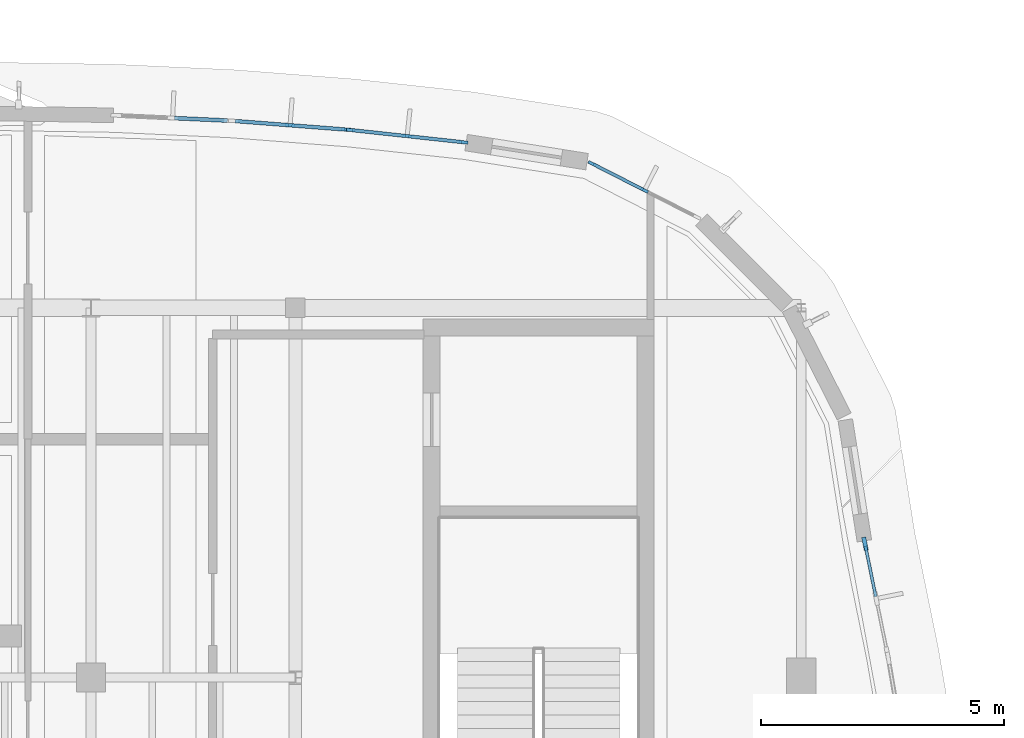
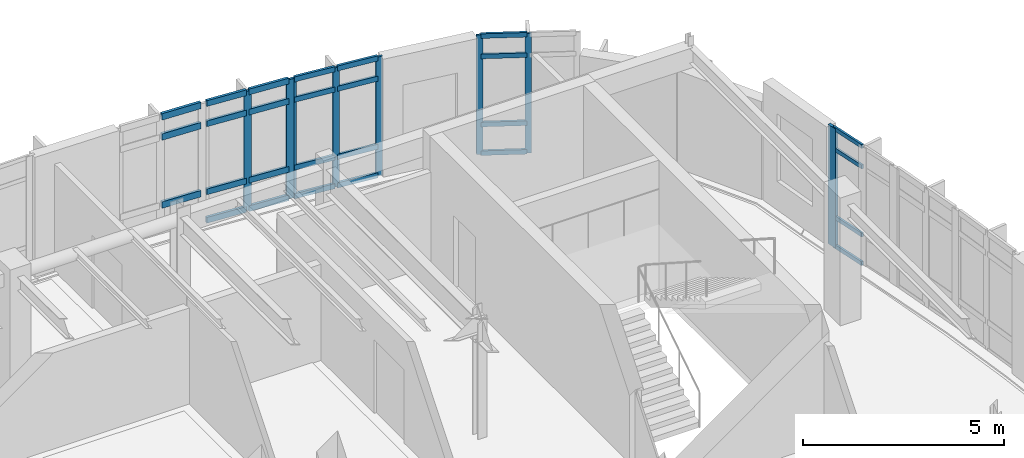
# One storey, part 56 of 111: 35 members, 5 elements without a shape of their own.
"""IFC4 building model written with IfcOpenShell, lengths in metres."""

from ifc_helpers import new_model, si_unit, direction, frame, origin, origin_2d, place, context, subcontext, project, spatial, rectangle, extrude, material, material_profile, profile_set, type_object, element, aggregate, save


model = new_model("IFC4")

# Units and contexts
model_context = context("Model", 3, precision=1e-05, world=origin(), true_north=direction((0.0, 1.0)))
body_context = subcontext(model_context, "Body", "Model", "MODEL_VIEW")
ifc_project = project(units=[si_unit("LENGTHUNIT", "METRE"), si_unit("AREAUNIT", "SQUARE_METRE"), si_unit("VOLUMEUNIT", "CUBIC_METRE"), si_unit("PLANEANGLEUNIT", "RADIAN"), si_unit("MASSUNIT", "GRAM", prefix="KILO")], contexts=[model_context])

# Site, building, storey
site_placement = place(None, origin())
site = spatial("IfcSite", under=ifc_project, at=site_placement, CompositionType="ELEMENT")
building_placement = place(site_placement, origin())
building = spatial("IfcBuilding", under=site, at=building_placement, Name="Corveleigh Park Community Centre", CompositionType="ELEMENT")
storey_placement = place(building_placement, frame((0.0, 0.0, 4.800048828125)))
storey = spatial("IfcBuildingStorey", under=building, at=storey_placement, Name="L01", CompositionType="ELEMENT", Elevation=4.800048828125)

# Curtain wall, members
ifc_material = material(Name="Anodised aluminium 6063-T6", Category="aluminium")
curtain_wall_type = type_object("IfcCurtainWallType", Name="CW-SYS-V4-L01", PredefinedType="NOTDEFINED", material=ifc_material)
curtain_wall_1_placement = place(storey_placement, origin())
curtain_wall_1 = element("IfcCurtainWall", 1, at=curtain_wall_1_placement, inside=storey, type_object=curtain_wall_type, Name="V4 L01 Curtain Wall 277", PredefinedType="NOTDEFINED")
ifc_material_profile_1 = material_profile(ifc_material, rectangle(XDim=0.06005859375, YDim=0.159912109375, at=origin_2d()), Name="ALU-M60x160", Category="aluminium")
ifc_profile_set_1 = profile_set([ifc_material_profile_1], Name="Anodised aluminium 6063-T6")
member_type_1 = type_object("IfcMemberType", Name="CWM-60x160", PredefinedType="MULLION", material=ifc_profile_set_1)
member_1_placement = place(storey_placement, frame((164.0947265625, 107.16845703125, 0.0), z_axis=(0.0, 0.0, 1.0), x_axis=(0.454268707511, 0.89086471553, 0.0)))
member_1 = element("IfcMember", 2, at=member_1_placement, type_object=member_type_1, Name="CW08 mullion 1", PredefinedType="MULLION", context=body_context, shape_type="SweptSolid", body=[
    extrude(rectangle(XDim=0.06005859375, YDim=0.159912109375, at=origin_2d()), origin(), (0.0, 0.0, 1.0), 3.612060546875),
])
member_2_placement = place(storey_placement, frame((165.177001953125, 106.616455078125, 0.0), z_axis=(0.0, 0.0, 1.0), x_axis=(0.454268707511, 0.89086471553, 0.0)))
member_2 = element("IfcMember", 3, at=member_2_placement, type_object=member_type_1, Name="CW08 mullion 2", PredefinedType="MULLION", context=body_context, shape_type="SweptSolid", body=[
    extrude(rectangle(XDim=0.06005859375, YDim=0.159912109375, at=origin_2d()), origin(), (0.0, 0.0, 1.0), 3.612060546875),
])

curtain_wall_2_placement = place(storey_placement, origin())
curtain_wall_2 = element("IfcCurtainWall", 4, at=curtain_wall_2_placement, inside=storey, type_object=curtain_wall_type, Name="V4 L01 Curtain Wall 278", PredefinedType="NOTDEFINED")
ifc_material_profile_2 = material_profile(ifc_material, rectangle(XDim=0.06494140625, YDim=0.179931640625, at=origin_2d()), Name="ALU-M65x180", Category="aluminium")
ifc_profile_set_2 = profile_set([ifc_material_profile_2], Name="Anodised aluminium 6063-T6")
member_type_2 = type_object("IfcMemberType", Name="CWM-65x180", PredefinedType="MULLION", material=ifc_profile_set_2)
member_3_placement = place(storey_placement, frame((159.13720703125, 107.8564453125, 0.0), z_axis=(0.0, 0.0, 1.0), x_axis=(0.108005423213, 0.994150304811, 0.0)))
member_3 = element("IfcMember", 5, at=member_3_placement, type_object=member_type_2, Name="CW08 mullion 1", PredefinedType="MULLION", context=body_context, shape_type="SweptSolid", body=[
    extrude(rectangle(XDim=0.06494140625, YDim=0.179931640625, at=origin_2d()), origin(), (0.0, 0.0, 1.0), 3.612060546875),
])
member_4_placement = place(storey_placement, frame((160.297119140625, 107.73046875, 0.0), z_axis=(0.0, 0.0, 1.0), x_axis=(0.108005423213, 0.994150304811, 0.0)))
member_4 = element("IfcMember", 6, at=member_4_placement, type_object=member_type_2, Name="CW08 mullion 2", PredefinedType="MULLION", context=body_context, shape_type="SweptSolid", body=[
    extrude(rectangle(XDim=0.06494140625, YDim=0.179931640625, at=origin_2d()), origin(), (0.0, 0.0, 1.0), 3.612060546875),
])
member_5_placement = place(storey_placement, frame((161.456787109375, 107.6044921875, 0.0), z_axis=(0.0, 0.0, 1.0), x_axis=(0.108005423213, 0.994150304811, 0.0)))
member_5 = element("IfcMember", 7, at=member_5_placement, type_object=member_type_2, Name="CW08 mullion 3", PredefinedType="MULLION", context=body_context, shape_type="SweptSolid", body=[
    extrude(rectangle(XDim=0.06494140625, YDim=0.179931640625, at=origin_2d()), origin(), (0.0, 0.0, 1.0), 3.612060546875),
])

curtain_wall_3_placement = place(storey_placement, origin())
curtain_wall_3 = element("IfcCurtainWall", 8, at=curtain_wall_3_placement, inside=storey, type_object=curtain_wall_type, Name="V4 L01 Curtain Wall 279", PredefinedType="NOTDEFINED")
ifc_material_profile_3 = material_profile(ifc_material, rectangle(XDim=0.070068359375, YDim=0.199951171875, at=origin_2d()), Name="ALU-M70x200", Category="aluminium")
ifc_profile_set_3 = profile_set([ifc_material_profile_3], Name="Anodised aluminium 6063-T6")
member_type_3 = type_object("IfcMemberType", Name="CWM-70x200", PredefinedType="MULLION", material=ifc_profile_set_3)
member_6_placement = place(storey_placement, frame((157.889892578125, 107.9541015625, 0.0), z_axis=(0.0, 0.0, 1.0), x_axis=(0.076632801378, 0.997059383263, 0.0)))
member_6 = element("IfcMember", 9, at=member_6_placement, type_object=member_type_3, Name="CW08 mullion 2", PredefinedType="MULLION", context=body_context, shape_type="SweptSolid", body=[
    extrude(rectangle(XDim=0.070068359375, YDim=0.199951171875, at=origin_2d()), origin(), (0.0, 0.0, 1.0), 3.612060546875),
])
member_7_placement = place(storey_placement, frame((159.052001953125, 107.86474609375, 0.0), z_axis=(0.0, 0.0, 1.0), x_axis=(0.076632801378, 0.997059383263, 0.0)))
member_7 = element("IfcMember", 10, at=member_7_placement, type_object=member_type_3, Name="CW08 mullion 3", PredefinedType="MULLION", context=body_context, shape_type="SweptSolid", body=[
    extrude(rectangle(XDim=0.070068359375, YDim=0.199951171875, at=origin_2d()), origin(), (0.0, 0.0, 1.0), 3.612060546875),
])

curtain_wall_4_placement = place(storey_placement, origin())
curtain_wall_4 = element("IfcCurtainWall", 11, at=curtain_wall_4_placement, inside=storey, type_object=curtain_wall_type, Name="V4 L01 Curtain Wall 276", PredefinedType="NOTDEFINED")
ifc_material_profile_4 = material_profile(ifc_material, rectangle(XDim=0.0849609375, YDim=0.27490234375, at=origin_2d()), Name="ALU-M85x275", Category="aluminium")
ifc_profile_set_4 = profile_set([ifc_material_profile_4], Name="Anodised aluminium 6063-T6")
member_type_4 = type_object("IfcMemberType", Name="CWM-85x275", PredefinedType="MULLION", material=ifc_profile_set_4)
member_8_placement = place(storey_placement, frame((169.71044921875, 99.348388671875, 0.0), z_axis=(0.0, 0.0, 1.0), x_axis=(0.979799029422, 0.19998465427, 0.0)))
member_8 = element("IfcMember", 12, at=member_8_placement, type_object=member_type_4, Name="CW08 mullion 1", PredefinedType="MULLION", context=body_context, shape_type="SweptSolid", body=[
    extrude(rectangle(XDim=0.0849609375, YDim=0.27490234375, at=origin_2d()), origin(), (0.0, 0.0, 1.0), 3.612060546875),
])
ifc_material_profile_5 = material_profile(ifc_material, rectangle(XDim=0.06005859375, YDim=0.1201171875, at=origin_2d()), Name="ALU-T60x120", Category="aluminium")
ifc_profile_set_5 = profile_set([ifc_material_profile_5], Name="Anodised aluminium 6063-T6")
member_type_5 = type_object("IfcMemberType", Name="CWT-60x120", PredefinedType="USERDEFINED", material=ifc_profile_set_5)
member_9_placement = place(storey_placement, frame((169.718994140625, 99.306640625, 0.030029296875), z_axis=(0.199906113622, -0.979815056904, 0.0), x_axis=(0.979815056904, 0.199906113622, 0.0)))
member_9 = element("IfcMember", 13, at=member_9_placement, type_object=member_type_5, Name="CW08 transom 1.1", ObjectType="TRANSOM", PredefinedType="USERDEFINED", context=body_context, shape_type="SweptSolid", body=[
    extrude(rectangle(XDim=0.06005859375, YDim=0.1201171875, at=origin_2d()), origin(), (0.0, 0.0, 1.0), 1.06494140625),
])
member_10_placement = place(storey_placement, frame((169.718994140625, 99.306640625, 0.89990234375), z_axis=(0.199906113622, -0.979815056904, 0.0), x_axis=(0.979815056904, 0.199906113622, 0.0)))
member_10 = element("IfcMember", 14, at=member_10_placement, type_object=member_type_5, Name="CW08 transom 1.2", ObjectType="TRANSOM", PredefinedType="USERDEFINED", context=body_context, shape_type="SweptSolid", body=[
    extrude(rectangle(XDim=0.06005859375, YDim=0.1201171875, at=origin_2d()), origin(), (0.0, 0.0, 1.0), 1.06494140625),
])
member_11_placement = place(storey_placement, frame((169.718994140625, 99.306640625, 2.9619140625), z_axis=(0.199906113622, -0.979815056904, 0.0), x_axis=(0.979815056904, 0.199906113622, 0.0)))
member_11 = element("IfcMember", 15, at=member_11_placement, type_object=member_type_5, Name="CW08 transom 1.3", ObjectType="TRANSOM", PredefinedType="USERDEFINED", context=body_context, shape_type="SweptSolid", body=[
    extrude(rectangle(XDim=0.06005859375, YDim=0.1201171875, at=origin_2d()), origin(), (0.0, 0.0, 1.0), 1.06494140625),
])
member_12_placement = place(storey_placement, frame((169.718994140625, 99.306640625, 3.58203125), z_axis=(0.199906113622, -0.979815056904, 0.0), x_axis=(0.979815056904, 0.199906113622, 0.0)))
member_12 = element("IfcMember", 16, at=member_12_placement, type_object=member_type_5, Name="CW08 transom 1.4", ObjectType="TRANSOM", PredefinedType="USERDEFINED", context=body_context, shape_type="SweptSolid", body=[
    extrude(rectangle(XDim=0.06005859375, YDim=0.1201171875, at=origin_2d()), origin(), (0.0, 0.0, 1.0), 1.06494140625),
])
aggregate(curtain_wall_4, [member_8, member_9, member_10, member_11, member_12])

# Member
ifc_material_profile_6 = material_profile(ifc_material, rectangle(XDim=0.06494140625, YDim=0.139892578125, at=origin_2d()), Name="ALU-T65x140", Category="aluminium")
ifc_profile_set_6 = profile_set([ifc_material_profile_6], Name="Anodised aluminium 6063-T6")
member_type_6 = type_object("IfcMemberType", Name="CWT-65x140", PredefinedType="USERDEFINED", material=ifc_profile_set_6)
member_13_placement = place(storey_placement, frame((164.121337890625, 107.15478515625, 0.032470703125), z_axis=(0.890891053728, -0.454217052067, 0.0), x_axis=(0.454217052067, 0.890891053728, 0.0)))
member_13 = element("IfcMember", 17, at=member_13_placement, type_object=member_type_6, Name="CW08 transom 1.1", ObjectType="TRANSOM", PredefinedType="USERDEFINED", context=body_context, shape_type="SweptSolid", body=[
    extrude(rectangle(XDim=0.06494140625, YDim=0.139892578125, at=origin_2d()), origin(), (0.0, 0.0, 1.0), 1.155029296875),
])

member_14_placement = place(storey_placement, frame((164.121337890625, 107.15478515625, 0.89990234375), z_axis=(0.890891053728, -0.454217052067, 0.0), x_axis=(0.454217052067, 0.890891053728, 0.0)))
member_14 = element("IfcMember", 18, at=member_14_placement, type_object=member_type_6, Name="CW08 transom 1.2", ObjectType="TRANSOM", PredefinedType="USERDEFINED", context=body_context, shape_type="SweptSolid", body=[
    extrude(rectangle(XDim=0.06494140625, YDim=0.139892578125, at=origin_2d()), origin(), (0.0, 0.0, 1.0), 1.155029296875),
])

member_15_placement = place(storey_placement, frame((164.121337890625, 107.15478515625, 2.9619140625), z_axis=(0.890891053728, -0.454217052067, 0.0), x_axis=(0.454217052067, 0.890891053728, 0.0)))
member_15 = element("IfcMember", 19, at=member_15_placement, type_object=member_type_6, Name="CW08 transom 1.3", ObjectType="TRANSOM", PredefinedType="USERDEFINED", context=body_context, shape_type="SweptSolid", body=[
    extrude(rectangle(XDim=0.06494140625, YDim=0.139892578125, at=origin_2d()), origin(), (0.0, 0.0, 1.0), 1.155029296875),
])

member_16_placement = place(storey_placement, frame((164.121337890625, 107.15478515625, 3.579345703125), z_axis=(0.890891053728, -0.454217052067, 0.0), x_axis=(0.454217052067, 0.890891053728, 0.0)))
member_16 = element("IfcMember", 20, at=member_16_placement, type_object=member_type_6, Name="CW08 transom 1.4", ObjectType="TRANSOM", PredefinedType="USERDEFINED", context=body_context, shape_type="SweptSolid", body=[
    extrude(rectangle(XDim=0.06494140625, YDim=0.139892578125, at=origin_2d()), origin(), (0.0, 0.0, 1.0), 1.155029296875),
])

aggregate(curtain_wall_1, [member_1, member_2, member_13, member_14, member_15, member_16])

ifc_material_profile_7 = material_profile(ifc_material, rectangle(XDim=0.070068359375, YDim=0.155029296875, at=origin_2d()), Name="ALU-T70x155", Category="aluminium")
ifc_profile_set_7 = profile_set([ifc_material_profile_7], Name="Anodised aluminium 6063-T6")
member_type_7 = type_object("IfcMemberType", Name="CWT-70x155", PredefinedType="USERDEFINED", material=ifc_profile_set_7)
member_17_placement = place(storey_placement, frame((159.169677734375, 107.85302734375, 0.034912109375), z_axis=(0.994156363242, -0.10794964301, 0.0), x_axis=(0.10794964301, 0.994156363242, 0.0)))
member_17 = element("IfcMember", 21, at=member_17_placement, type_object=member_type_7, Name="CW08 transom 1.1", ObjectType="TRANSOM", PredefinedType="USERDEFINED", context=body_context, shape_type="SweptSolid", body=[
    extrude(rectangle(XDim=0.070068359375, YDim=0.155029296875, at=origin_2d()), origin(), (0.0, 0.0, 1.0), 1.101318359375),
])

member_18_placement = place(storey_placement, frame((159.169677734375, 107.85302734375, 0.89990234375), z_axis=(0.994156363242, -0.10794964301, 0.0), x_axis=(0.10794964301, 0.994156363242, 0.0)))
member_18 = element("IfcMember", 22, at=member_18_placement, type_object=member_type_7, Name="CW08 transom 1.2", ObjectType="TRANSOM", PredefinedType="USERDEFINED", context=body_context, shape_type="SweptSolid", body=[
    extrude(rectangle(XDim=0.070068359375, YDim=0.155029296875, at=origin_2d()), origin(), (0.0, 0.0, 1.0), 1.101318359375),
])

member_19_placement = place(storey_placement, frame((159.169677734375, 107.85302734375, 2.9619140625), z_axis=(0.994156363242, -0.10794964301, 0.0), x_axis=(0.10794964301, 0.994156363242, 0.0)))
member_19 = element("IfcMember", 23, at=member_19_placement, type_object=member_type_7, Name="CW08 transom 1.3", ObjectType="TRANSOM", PredefinedType="USERDEFINED", context=body_context, shape_type="SweptSolid", body=[
    extrude(rectangle(XDim=0.070068359375, YDim=0.155029296875, at=origin_2d()), origin(), (0.0, 0.0, 1.0), 1.101318359375),
])

member_20_placement = place(storey_placement, frame((159.169677734375, 107.85302734375, 3.576904296875), z_axis=(0.994156363242, -0.10794964301, 0.0), x_axis=(0.10794964301, 0.994156363242, 0.0)))
member_20 = element("IfcMember", 24, at=member_20_placement, type_object=member_type_7, Name="CW08 transom 1.4", ObjectType="TRANSOM", PredefinedType="USERDEFINED", context=body_context, shape_type="SweptSolid", body=[
    extrude(rectangle(XDim=0.070068359375, YDim=0.155029296875, at=origin_2d()), origin(), (0.0, 0.0, 1.0), 1.101318359375),
])

member_21_placement = place(storey_placement, frame((160.329345703125, 107.72705078125, 0.034912109375), z_axis=(0.994132551114, -0.108168714592, 0.0), x_axis=(0.108168714592, 0.994132551114, 0.0)))
member_21 = element("IfcMember", 25, at=member_21_placement, type_object=member_type_7, Name="CW08 transom 2.1", ObjectType="TRANSOM", PredefinedType="USERDEFINED", context=body_context, shape_type="SweptSolid", body=[
    extrude(rectangle(XDim=0.070068359375, YDim=0.155029296875, at=origin_2d()), origin(), (0.0, 0.0, 1.0), 1.101318359375),
])

member_22_placement = place(storey_placement, frame((160.329345703125, 107.72705078125, 0.89990234375), z_axis=(0.994132551114, -0.108168714592, 0.0), x_axis=(0.108168714592, 0.994132551114, 0.0)))
member_22 = element("IfcMember", 26, at=member_22_placement, type_object=member_type_7, Name="CW08 transom 2.2", ObjectType="TRANSOM", PredefinedType="USERDEFINED", context=body_context, shape_type="SweptSolid", body=[
    extrude(rectangle(XDim=0.070068359375, YDim=0.155029296875, at=origin_2d()), origin(), (0.0, 0.0, 1.0), 1.101318359375),
])

member_23_placement = place(storey_placement, frame((160.329345703125, 107.72705078125, 2.9619140625), z_axis=(0.994132551114, -0.108168714592, 0.0), x_axis=(0.108168714592, 0.994132551114, 0.0)))
member_23 = element("IfcMember", 27, at=member_23_placement, type_object=member_type_7, Name="CW08 transom 2.3", ObjectType="TRANSOM", PredefinedType="USERDEFINED", context=body_context, shape_type="SweptSolid", body=[
    extrude(rectangle(XDim=0.070068359375, YDim=0.155029296875, at=origin_2d()), origin(), (0.0, 0.0, 1.0), 1.101318359375),
])

member_24_placement = place(storey_placement, frame((160.329345703125, 107.72705078125, 3.576904296875), z_axis=(0.994132551114, -0.108168714592, 0.0), x_axis=(0.108168714592, 0.994132551114, 0.0)))
member_24 = element("IfcMember", 28, at=member_24_placement, type_object=member_type_7, Name="CW08 transom 2.4", ObjectType="TRANSOM", PredefinedType="USERDEFINED", context=body_context, shape_type="SweptSolid", body=[
    extrude(rectangle(XDim=0.070068359375, YDim=0.155029296875, at=origin_2d()), origin(), (0.0, 0.0, 1.0), 1.101318359375),
])

aggregate(curtain_wall_2, [member_3, member_4, member_5, member_17, member_18, member_19, member_20, member_21, member_22, member_23, member_24])

ifc_material_profile_8 = material_profile(ifc_material, rectangle(XDim=0.074951171875, YDim=0.175048828125, at=origin_2d()), Name="ALU-T75x175", Category="aluminium")
ifc_profile_set_8 = profile_set([ifc_material_profile_8], Name="Anodised aluminium 6063-T6")
member_type_8 = type_object("IfcMemberType", Name="CWT-75x175", PredefinedType="USERDEFINED", material=ifc_profile_set_8)
member_25_placement = place(storey_placement, frame((156.7626953125, 108.04052734375, 0.037353515625), z_axis=(0.997075418599, -0.076423881247, 0.0), x_axis=(0.076423881247, 0.997075418599, 0.0)))
member_25 = element("IfcMember", 29, at=member_25_placement, type_object=member_type_8, Name="CW08 transom 1.1", ObjectType="TRANSOM", PredefinedType="USERDEFINED", context=body_context, shape_type="SweptSolid", body=[
    extrude(rectangle(XDim=0.074951171875, YDim=0.175048828125, at=origin_2d()), origin(), (0.0, 0.0, 1.0), 1.095703125),
])

member_26_placement = place(storey_placement, frame((156.7626953125, 108.04052734375, 0.89990234375), z_axis=(0.997075418599, -0.076423881247, 0.0), x_axis=(0.076423881247, 0.997075418599, 0.0)))
member_26 = element("IfcMember", 30, at=member_26_placement, type_object=member_type_8, Name="CW08 transom 1.2", ObjectType="TRANSOM", PredefinedType="USERDEFINED", context=body_context, shape_type="SweptSolid", body=[
    extrude(rectangle(XDim=0.074951171875, YDim=0.175048828125, at=origin_2d()), origin(), (0.0, 0.0, 1.0), 1.095703125),
])

member_27_placement = place(storey_placement, frame((156.7626953125, 108.04052734375, 2.9619140625), z_axis=(0.997075418599, -0.076423881247, 0.0), x_axis=(0.076423881247, 0.997075418599, 0.0)))
member_27 = element("IfcMember", 31, at=member_27_placement, type_object=member_type_8, Name="CW08 transom 1.3", ObjectType="TRANSOM", PredefinedType="USERDEFINED", context=body_context, shape_type="SweptSolid", body=[
    extrude(rectangle(XDim=0.074951171875, YDim=0.175048828125, at=origin_2d()), origin(), (0.0, 0.0, 1.0), 1.095703125),
])

member_28_placement = place(storey_placement, frame((156.7626953125, 108.04052734375, 3.574462890625), z_axis=(0.997075418599, -0.076423881247, 0.0), x_axis=(0.076423881247, 0.997075418599, 0.0)))
member_28 = element("IfcMember", 32, at=member_28_placement, type_object=member_type_8, Name="CW08 transom 1.4", ObjectType="TRANSOM", PredefinedType="USERDEFINED", context=body_context, shape_type="SweptSolid", body=[
    extrude(rectangle(XDim=0.074951171875, YDim=0.175048828125, at=origin_2d()), origin(), (0.0, 0.0, 1.0), 1.095703125),
])

member_29_placement = place(storey_placement, frame((157.9248046875, 107.951416015625, 0.037353515625), z_axis=(0.997057106753, -0.076662415003, 0.0), x_axis=(0.076662415003, 0.997057106753, 0.0)))
member_29 = element("IfcMember", 33, at=member_29_placement, type_object=member_type_8, Name="CW08 transom 2.1", ObjectType="TRANSOM", PredefinedType="USERDEFINED", context=body_context, shape_type="SweptSolid", body=[
    extrude(rectangle(XDim=0.074951171875, YDim=0.175048828125, at=origin_2d()), origin(), (0.0, 0.0, 1.0), 1.095458984375),
])

member_30_placement = place(storey_placement, frame((157.9248046875, 107.951416015625, 0.89990234375), z_axis=(0.997057106753, -0.076662415003, 0.0), x_axis=(0.076662415003, 0.997057106753, 0.0)))
member_30 = element("IfcMember", 34, at=member_30_placement, type_object=member_type_8, Name="CW08 transom 2.2", ObjectType="TRANSOM", PredefinedType="USERDEFINED", context=body_context, shape_type="SweptSolid", body=[
    extrude(rectangle(XDim=0.074951171875, YDim=0.175048828125, at=origin_2d()), origin(), (0.0, 0.0, 1.0), 1.095458984375),
])

member_31_placement = place(storey_placement, frame((157.9248046875, 107.951416015625, 2.9619140625), z_axis=(0.997057106753, -0.076662415003, 0.0), x_axis=(0.076662415003, 0.997057106753, 0.0)))
member_31 = element("IfcMember", 35, at=member_31_placement, type_object=member_type_8, Name="CW08 transom 2.3", ObjectType="TRANSOM", PredefinedType="USERDEFINED", context=body_context, shape_type="SweptSolid", body=[
    extrude(rectangle(XDim=0.074951171875, YDim=0.175048828125, at=origin_2d()), origin(), (0.0, 0.0, 1.0), 1.095458984375),
])

member_32_placement = place(storey_placement, frame((157.9248046875, 107.951416015625, 3.574462890625), z_axis=(0.997057106753, -0.076662415003, 0.0), x_axis=(0.076662415003, 0.997057106753, 0.0)))
member_32 = element("IfcMember", 36, at=member_32_placement, type_object=member_type_8, Name="CW08 transom 2.4", ObjectType="TRANSOM", PredefinedType="USERDEFINED", context=body_context, shape_type="SweptSolid", body=[
    extrude(rectangle(XDim=0.074951171875, YDim=0.175048828125, at=origin_2d()), origin(), (0.0, 0.0, 1.0), 1.095458984375),
])

aggregate(curtain_wall_3, [member_6, member_7, member_25, member_26, member_27, member_28, member_29, member_30, member_31, member_32])

# Curtain wall, members
curtain_wall_5_placement = place(storey_placement, origin())
curtain_wall_5 = element("IfcCurtainWall", 37, at=curtain_wall_5_placement, inside=storey, type_object=curtain_wall_type, Name="V4 L01 Curtain Wall 280", PredefinedType="NOTDEFINED")
ifc_material_profile_9 = material_profile(ifc_material, rectangle(XDim=0.080078125, YDim=0.195068359375, at=origin_2d()), Name="ALU-T80x195", Category="aluminium")
ifc_profile_set_9 = profile_set([ifc_material_profile_9], Name="Anodised aluminium 6063-T6")
member_type_9 = type_object("IfcMemberType", Name="CWT-80x195", PredefinedType="USERDEFINED", material=ifc_profile_set_9)
member_33_placement = place(storey_placement, frame((155.513427734375, 108.101318359375, 0.89990234375), z_axis=(0.998909888579, -0.046680129594, 0.0), x_axis=(0.046680129594, 0.998909888579, 0.0)))
member_33 = element("IfcMember", 38, at=member_33_placement, type_object=member_type_9, Name="CW08 transom 2.2", ObjectType="TRANSOM", PredefinedType="USERDEFINED", context=body_context, shape_type="SweptSolid", body=[
    extrude(rectangle(XDim=0.080078125, YDim=0.195068359375, at=origin_2d()), origin(), (0.0, 0.0, 1.0), 1.087890625),
])
member_34_placement = place(storey_placement, frame((155.513427734375, 108.101318359375, 2.9619140625), z_axis=(0.998909888579, -0.046680129594, 0.0), x_axis=(0.046680129594, 0.998909888579, 0.0)))
member_34 = element("IfcMember", 39, at=member_34_placement, type_object=member_type_9, Name="CW08 transom 2.3", ObjectType="TRANSOM", PredefinedType="USERDEFINED", context=body_context, shape_type="SweptSolid", body=[
    extrude(rectangle(XDim=0.080078125, YDim=0.195068359375, at=origin_2d()), origin(), (0.0, 0.0, 1.0), 1.087890625),
])
member_35_placement = place(storey_placement, frame((155.513427734375, 108.101318359375, 3.572021484375), z_axis=(0.998909888579, -0.046680129594, 0.0), x_axis=(0.046680129594, 0.998909888579, 0.0)))
member_35 = element("IfcMember", 40, at=member_35_placement, type_object=member_type_9, Name="CW08 transom 2.4", ObjectType="TRANSOM", PredefinedType="USERDEFINED", context=body_context, shape_type="SweptSolid", body=[
    extrude(rectangle(XDim=0.080078125, YDim=0.195068359375, at=origin_2d()), origin(), (0.0, 0.0, 1.0), 1.087890625),
])
aggregate(curtain_wall_5, [member_33, member_34, member_35])

save(model, "model.ifc")
